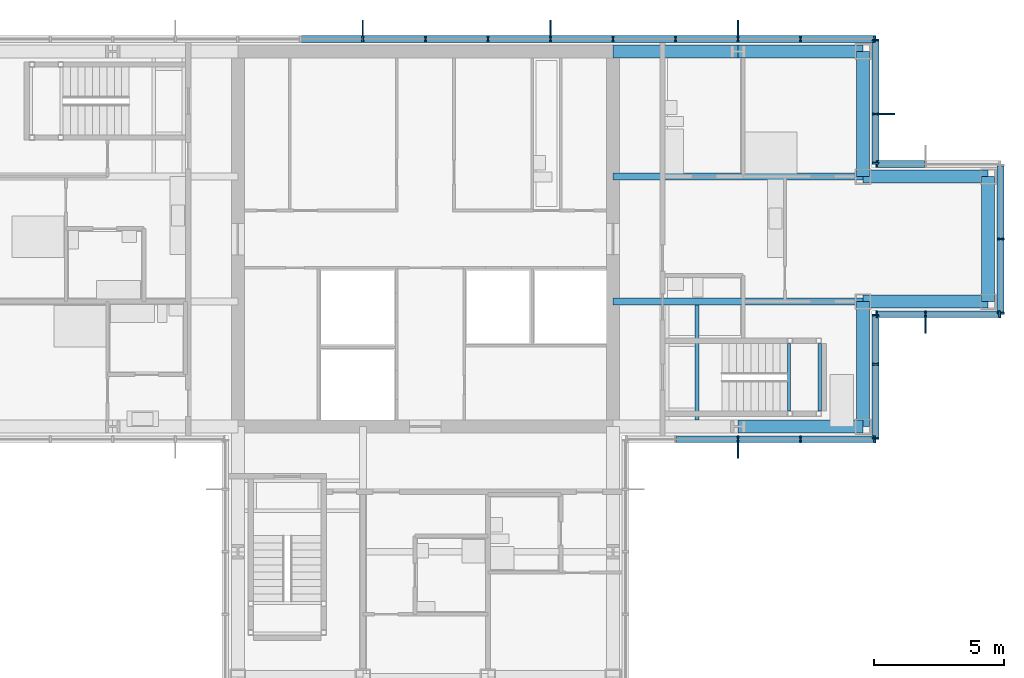
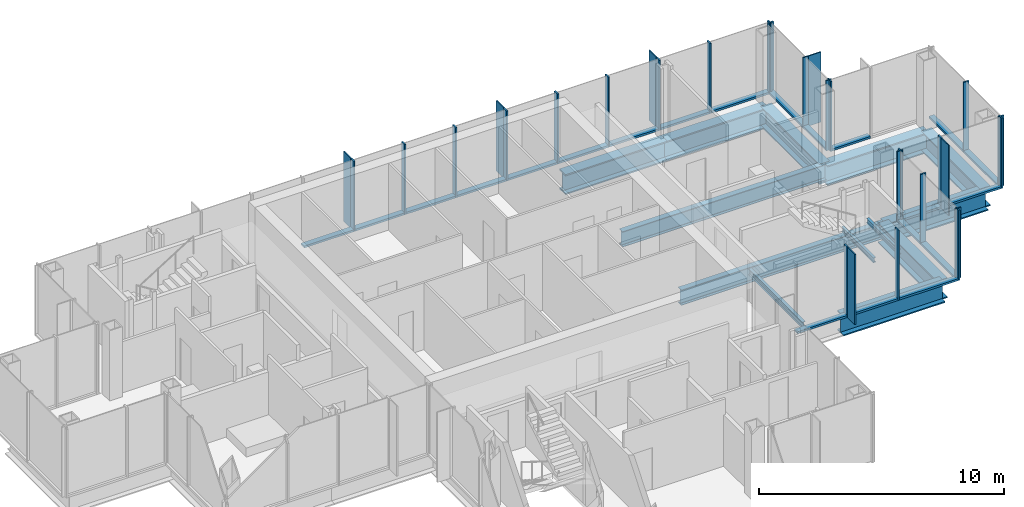
# One storey, part 7 of 15: 51 members, 13 beams, 7 elements without a shape of their own.
"""IFC4 building model written with IfcOpenShell, lengths in metres."""

from ifc_helpers import new_model, si_unit, direction, frame, origin, origin_2d, place, context, subcontext, project, spatial, rectangle, i_section, extrude, material, material_profile, profile_set, type_object, element, aggregate, save


model = new_model("IFC4")

# Units and contexts
model_context = context("Model", 3, precision=1e-05, world=origin(), true_north=direction((0.0, 1.0)))
body_context = subcontext(model_context, "Body", "Model", "MODEL_VIEW")
ifc_project = project(units=[si_unit("LENGTHUNIT", "METRE"), si_unit("AREAUNIT", "SQUARE_METRE"), si_unit("VOLUMEUNIT", "CUBIC_METRE"), si_unit("PLANEANGLEUNIT", "RADIAN"), si_unit("MASSUNIT", "GRAM", prefix="KILO")], contexts=[model_context])

# Site, building, storey
site_placement = place(None, origin())
site = spatial("IfcSite", under=ifc_project, at=site_placement, CompositionType="ELEMENT")
building_placement = place(site_placement, origin())
building = spatial("IfcBuilding", under=site, at=building_placement, Name="Kvirike Care Tower", CompositionType="ELEMENT")
storey_placement = place(building_placement, frame((0.0, 0.0, 212.0)))
storey = spatial("IfcBuildingStorey", under=building, at=storey_placement, Name="L58", CompositionType="ELEMENT", Elevation=212.0)

# Curtain wall, member
ifc_material_1 = material(Name="Anodised aluminium stick system", Category="aluminium")
curtain_wall_type = type_object("IfcCurtainWallType", Name="CW-D STICK CURTAIN WALL", PredefinedType="NOTDEFINED", material=ifc_material_1)
curtain_wall_1_placement = place(storey_placement, origin())
curtain_wall_1 = element("IfcCurtainWall", 1, at=curtain_wall_1_placement, inside=storey, type_object=curtain_wall_type, Name="Curtain wall L58 face 1", PredefinedType="NOTDEFINED")
ifc_material_2 = material(Name="Bronze anodised aluminium fin", Category="aluminium")
ifc_material_profile_1 = material_profile(ifc_material_2, rectangle(XDim=0.050048828125, YDim=0.60009765625, at=origin_2d()), Name="BRONZE FIN 600")
ifc_profile_set_1 = profile_set([ifc_material_profile_1], Name="Bronze anodised aluminium fin")
member_type_1 = type_object("IfcMemberType", Name="BRONZE FIN 600", PredefinedType="USERDEFINED", material=ifc_profile_set_1)
member_1_placement = place(storey_placement, frame((33.60009765625, 27.889892578125, 0.0), z_axis=(0.0, 0.0, 1.0), x_axis=(1.0, 0.0, 0.0)))
member_1 = element("IfcMember", 2, at=member_1_placement, type_object=member_type_1, Name="Bronze fin L58 face 1.3", ObjectType="FIN", PredefinedType="USERDEFINED", context=body_context, shape_type="SweptSolid", body=[
    extrude(rectangle(XDim=0.050048828125, YDim=0.60009765625, at=origin_2d()), origin(), (0.0, 0.0, 1.0), 3.5),
])

curtain_wall_2_placement = place(storey_placement, origin())
curtain_wall_2 = element("IfcCurtainWall", 3, at=curtain_wall_2_placement, inside=storey, type_object=curtain_wall_type, Name="Curtain wall L58 face 3", PredefinedType="NOTDEFINED")
member_2_placement = place(storey_placement, frame((40.800048828125, 32.68994140625, 0.0), z_axis=(0.0, 0.0, 1.0), x_axis=(1.0, 0.0, 0.0)))
member_2 = element("IfcMember", 4, at=member_2_placement, type_object=member_type_1, Name="Bronze fin L58 face 3.2", ObjectType="FIN", PredefinedType="USERDEFINED", context=body_context, shape_type="SweptSolid", body=[
    extrude(rectangle(XDim=0.050048828125, YDim=0.60009765625, at=origin_2d()), origin(), (0.0, 0.0, 1.0), 3.5),
])

curtain_wall_3_placement = place(storey_placement, origin())
curtain_wall_3 = element("IfcCurtainWall", 5, at=curtain_wall_3_placement, inside=storey, type_object=curtain_wall_type, Name="Curtain wall L58 face 6", PredefinedType="NOTDEFINED")
member_3_placement = place(storey_placement, frame((39.31005859375, 40.800048828125, 0.0), z_axis=(0.0, 0.0, 1.0), x_axis=(0.0, 1.0, 0.0)))
member_3 = element("IfcMember", 6, at=member_3_placement, type_object=member_type_1, Name="Bronze fin L58 face 6.2", ObjectType="FIN", PredefinedType="USERDEFINED", context=body_context, shape_type="SweptSolid", body=[
    extrude(rectangle(XDim=0.050048828125, YDim=0.60009765625, at=origin_2d()), origin(), (0.0, 0.0, 1.0), 3.5),
])

# Curtain wall, members
curtain_wall_4_placement = place(storey_placement, origin())
curtain_wall_4 = element("IfcCurtainWall", 7, at=curtain_wall_4_placement, inside=storey, type_object=curtain_wall_type, Name="Curtain wall L58 face 7", PredefinedType="NOTDEFINED")
member_4_placement = place(storey_placement, frame((33.60009765625, 44.110107421875, 0.0), z_axis=(0.0, 0.0, 1.0), x_axis=(-1.0, 0.0, 0.0)))
member_4 = element("IfcMember", 8, at=member_4_placement, type_object=member_type_1, Name="Bronze fin L58 face 7.3", ObjectType="FIN", PredefinedType="USERDEFINED", context=body_context, shape_type="SweptSolid", body=[
    extrude(rectangle(XDim=0.050048828125, YDim=0.60009765625, at=origin_2d()), origin(), (0.0, 0.0, 1.0), 3.5),
])
member_5_placement = place(storey_placement, frame((26.39990234375, 44.110107421875, 0.0), z_axis=(0.0, 0.0, 1.0), x_axis=(-1.0, 0.0, 0.0)))
member_5 = element("IfcMember", 9, at=member_5_placement, type_object=member_type_1, Name="Bronze fin L58 face 7.6", ObjectType="FIN", PredefinedType="USERDEFINED", context=body_context, shape_type="SweptSolid", body=[
    extrude(rectangle(XDim=0.050048828125, YDim=0.60009765625, at=origin_2d()), origin(), (0.0, 0.0, 1.0), 3.5),
])
member_6_placement = place(storey_placement, frame((19.199951171875, 44.110107421875, 0.0), z_axis=(0.0, 0.0, 1.0), x_axis=(-1.0, 0.0, 0.0)))
member_6 = element("IfcMember", 10, at=member_6_placement, type_object=member_type_1, Name="Bronze fin L58 face 7.9", ObjectType="FIN", PredefinedType="USERDEFINED", context=body_context, shape_type="SweptSolid", body=[
    extrude(rectangle(XDim=0.050048828125, YDim=0.60009765625, at=origin_2d()), origin(), (0.0, 0.0, 1.0), 3.5),
])

# Member
ifc_material_3 = material(Name="Bronze anodised aluminium mullion", Category="aluminium")
ifc_material_profile_2 = material_profile(ifc_material_3, rectangle(XDim=0.06494140625, YDim=0.260009765625, at=origin_2d()), Name="CW-D MULLION 65x260")
ifc_profile_set_2 = profile_set([ifc_material_profile_2], Name="Bronze anodised aluminium mullion")
member_type_2 = type_object("IfcMemberType", Name="CW-D MULLION 65x260", PredefinedType="MULLION", material=ifc_profile_set_2)
member_7_placement = place(storey_placement, frame((33.60009765625, 28.320068359375, 0.0), z_axis=(0.0, 0.0, 1.0), x_axis=(1.0, 0.0, 0.0)))
member_7 = element("IfcMember", 11, at=member_7_placement, type_object=member_type_2, Name="CW-D mullion L58 face 1.3", PredefinedType="MULLION", context=body_context, shape_type="SweptSolid", body=[
    extrude(rectangle(XDim=0.06494140625, YDim=0.260009765625, at=origin_2d()), origin(), (0.0, 0.0, 1.0), 3.5),
])

member_8_placement = place(storey_placement, frame((36.0, 28.320068359375, 0.0), z_axis=(0.0, 0.0, 1.0), x_axis=(1.0, 0.0, 0.0)))
member_8 = element("IfcMember", 12, at=member_8_placement, type_object=member_type_2, Name="CW-D mullion L58 face 1.4", PredefinedType="MULLION", context=body_context, shape_type="SweptSolid", body=[
    extrude(rectangle(XDim=0.06494140625, YDim=0.260009765625, at=origin_2d()), origin(), (0.0, 0.0, 1.0), 3.5),
])

member_9_placement = place(storey_placement, frame((38.847412109375, 28.320068359375, 0.0), z_axis=(0.0, 0.0, 1.0), x_axis=(1.0, 0.0, 0.0)))
member_9 = element("IfcMember", 13, at=member_9_placement, type_object=member_type_2, Name="CW-D mullion L58 face 1.5", PredefinedType="MULLION", context=body_context, shape_type="SweptSolid", body=[
    extrude(rectangle(XDim=0.06494140625, YDim=0.260009765625, at=origin_2d()), origin(), (0.0, 0.0, 1.0), 3.5),
])

# Curtain wall, members
curtain_wall_5_placement = place(storey_placement, origin())
curtain_wall_5 = element("IfcCurtainWall", 14, at=curtain_wall_5_placement, inside=storey, type_object=curtain_wall_type, Name="Curtain wall L58 face 2", PredefinedType="NOTDEFINED")
member_10_placement = place(storey_placement, frame((38.8798828125, 28.3525390625, 0.0), z_axis=(0.0, 0.0, 1.0), x_axis=(0.0, 1.0, 0.0)))
member_10 = element("IfcMember", 15, at=member_10_placement, type_object=member_type_2, Name="CW-D mullion L58 face 2.1", PredefinedType="MULLION", context=body_context, shape_type="SweptSolid", body=[
    extrude(rectangle(XDim=0.06494140625, YDim=0.260009765625, at=origin_2d()), origin(), (0.0, 0.0, 1.0), 3.5),
])
member_11_placement = place(storey_placement, frame((38.8798828125, 31.199951171875, 0.0), z_axis=(0.0, 0.0, 1.0), x_axis=(0.0, 1.0, 0.0)))
member_11 = element("IfcMember", 16, at=member_11_placement, type_object=member_type_2, Name="CW-D mullion L58 face 2.2", PredefinedType="MULLION", context=body_context, shape_type="SweptSolid", body=[
    extrude(rectangle(XDim=0.06494140625, YDim=0.260009765625, at=origin_2d()), origin(), (0.0, 0.0, 1.0), 3.5),
])
member_12_placement = place(storey_placement, frame((38.8798828125, 33.08740234375, 0.0), z_axis=(0.0, 0.0, 1.0), x_axis=(0.0, 1.0, 0.0)))
member_12 = element("IfcMember", 17, at=member_12_placement, type_object=member_type_2, Name="CW-D mullion L58 face 2.3", PredefinedType="MULLION", context=body_context, shape_type="SweptSolid", body=[
    extrude(rectangle(XDim=0.06494140625, YDim=0.260009765625, at=origin_2d()), origin(), (0.0, 0.0, 1.0), 3.5),
])

# Member
member_13_placement = place(storey_placement, frame((38.91259765625, 33.1201171875, 0.0), z_axis=(0.0, 0.0, 1.0), x_axis=(1.0, 0.0, 0.0)))
member_13 = element("IfcMember", 18, at=member_13_placement, type_object=member_type_2, Name="CW-D mullion L58 face 3.1", PredefinedType="MULLION", context=body_context, shape_type="SweptSolid", body=[
    extrude(rectangle(XDim=0.06494140625, YDim=0.260009765625, at=origin_2d()), origin(), (0.0, 0.0, 1.0), 3.5),
])

member_14_placement = place(storey_placement, frame((40.800048828125, 33.1201171875, 0.0), z_axis=(0.0, 0.0, 1.0), x_axis=(1.0, 0.0, 0.0)))
member_14 = element("IfcMember", 19, at=member_14_placement, type_object=member_type_2, Name="CW-D mullion L58 face 3.2", PredefinedType="MULLION", context=body_context, shape_type="SweptSolid", body=[
    extrude(rectangle(XDim=0.06494140625, YDim=0.260009765625, at=origin_2d()), origin(), (0.0, 0.0, 1.0), 3.5),
])

member_15_placement = place(storey_placement, frame((43.6474609375, 33.1201171875, 0.0), z_axis=(0.0, 0.0, 1.0), x_axis=(1.0, 0.0, 0.0)))
member_15 = element("IfcMember", 20, at=member_15_placement, type_object=member_type_2, Name="CW-D mullion L58 face 3.3", PredefinedType="MULLION", context=body_context, shape_type="SweptSolid", body=[
    extrude(rectangle(XDim=0.06494140625, YDim=0.260009765625, at=origin_2d()), origin(), (0.0, 0.0, 1.0), 3.5),
])

# Curtain wall, members
curtain_wall_6_placement = place(storey_placement, origin())
curtain_wall_6 = element("IfcCurtainWall", 21, at=curtain_wall_6_placement, inside=storey, type_object=curtain_wall_type, Name="Curtain wall L58 face 4", PredefinedType="NOTDEFINED")
member_16_placement = place(storey_placement, frame((43.679931640625, 33.152587890625, 0.0), z_axis=(0.0, 0.0, 1.0), x_axis=(0.0, 1.0, 0.0)))
member_16 = element("IfcMember", 22, at=member_16_placement, type_object=member_type_2, Name="CW-D mullion L58 face 4.1", PredefinedType="MULLION", context=body_context, shape_type="SweptSolid", body=[
    extrude(rectangle(XDim=0.06494140625, YDim=0.260009765625, at=origin_2d()), origin(), (0.0, 0.0, 1.0), 3.5),
])
member_17_placement = place(storey_placement, frame((43.679931640625, 36.0, 0.0), z_axis=(0.0, 0.0, 1.0), x_axis=(0.0, 1.0, 0.0)))
member_17 = element("IfcMember", 23, at=member_17_placement, type_object=member_type_2, Name="CW-D mullion L58 face 4.2", PredefinedType="MULLION", context=body_context, shape_type="SweptSolid", body=[
    extrude(rectangle(XDim=0.06494140625, YDim=0.260009765625, at=origin_2d()), origin(), (0.0, 0.0, 1.0), 3.5),
])

# Curtain wall, member
curtain_wall_7_placement = place(storey_placement, origin())
curtain_wall_7 = element("IfcCurtainWall", 24, at=curtain_wall_7_placement, inside=storey, type_object=curtain_wall_type, Name="Curtain wall L58 face 5", PredefinedType="NOTDEFINED")
member_18_placement = place(storey_placement, frame((38.91259765625, 38.8798828125, 0.0), z_axis=(0.0, 0.0, 1.0), x_axis=(-1.0, 0.0, 0.0)))
member_18 = element("IfcMember", 25, at=member_18_placement, type_object=member_type_2, Name="CW-D mullion L58 face 5.3", PredefinedType="MULLION", context=body_context, shape_type="SweptSolid", body=[
    extrude(rectangle(XDim=0.06494140625, YDim=0.260009765625, at=origin_2d()), origin(), (0.0, 0.0, 1.0), 3.5),
])

# Member
member_19_placement = place(storey_placement, frame((38.8798828125, 38.91259765625, 0.0), z_axis=(0.0, 0.0, 1.0), x_axis=(0.0, 1.0, 0.0)))
member_19 = element("IfcMember", 26, at=member_19_placement, type_object=member_type_2, Name="CW-D mullion L58 face 6.1", PredefinedType="MULLION", context=body_context, shape_type="SweptSolid", body=[
    extrude(rectangle(XDim=0.06494140625, YDim=0.260009765625, at=origin_2d()), origin(), (0.0, 0.0, 1.0), 3.5),
])

member_20_placement = place(storey_placement, frame((38.8798828125, 40.800048828125, 0.0), z_axis=(0.0, 0.0, 1.0), x_axis=(0.0, 1.0, 0.0)))
member_20 = element("IfcMember", 27, at=member_20_placement, type_object=member_type_2, Name="CW-D mullion L58 face 6.2", PredefinedType="MULLION", context=body_context, shape_type="SweptSolid", body=[
    extrude(rectangle(XDim=0.06494140625, YDim=0.260009765625, at=origin_2d()), origin(), (0.0, 0.0, 1.0), 3.5),
])

member_21_placement = place(storey_placement, frame((38.8798828125, 43.6474609375, 0.0), z_axis=(0.0, 0.0, 1.0), x_axis=(0.0, 1.0, 0.0)))
member_21 = element("IfcMember", 28, at=member_21_placement, type_object=member_type_2, Name="CW-D mullion L58 face 6.3", PredefinedType="MULLION", context=body_context, shape_type="SweptSolid", body=[
    extrude(rectangle(XDim=0.06494140625, YDim=0.260009765625, at=origin_2d()), origin(), (0.0, 0.0, 1.0), 3.5),
])

member_22_placement = place(storey_placement, frame((38.847412109375, 43.679931640625, 0.0), z_axis=(0.0, 0.0, 1.0), x_axis=(-1.0, 0.0, 0.0)))
member_22 = element("IfcMember", 29, at=member_22_placement, type_object=member_type_2, Name="CW-D mullion L58 face 7.1", PredefinedType="MULLION", context=body_context, shape_type="SweptSolid", body=[
    extrude(rectangle(XDim=0.06494140625, YDim=0.260009765625, at=origin_2d()), origin(), (0.0, 0.0, 1.0), 3.5),
])

member_23_placement = place(storey_placement, frame((36.0, 43.679931640625, 0.0), z_axis=(0.0, 0.0, 1.0), x_axis=(-1.0, 0.0, 0.0)))
member_23 = element("IfcMember", 30, at=member_23_placement, type_object=member_type_2, Name="CW-D mullion L58 face 7.2", PredefinedType="MULLION", context=body_context, shape_type="SweptSolid", body=[
    extrude(rectangle(XDim=0.06494140625, YDim=0.260009765625, at=origin_2d()), origin(), (0.0, 0.0, 1.0), 3.5),
])

member_24_placement = place(storey_placement, frame((33.60009765625, 43.679931640625, 0.0), z_axis=(0.0, 0.0, 1.0), x_axis=(-1.0, 0.0, 0.0)))
member_24 = element("IfcMember", 31, at=member_24_placement, type_object=member_type_2, Name="CW-D mullion L58 face 7.3", PredefinedType="MULLION", context=body_context, shape_type="SweptSolid", body=[
    extrude(rectangle(XDim=0.06494140625, YDim=0.260009765625, at=origin_2d()), origin(), (0.0, 0.0, 1.0), 3.5),
])

member_25_placement = place(storey_placement, frame((31.199951171875, 43.679931640625, 0.0), z_axis=(0.0, 0.0, 1.0), x_axis=(-1.0, 0.0, 0.0)))
member_25 = element("IfcMember", 32, at=member_25_placement, type_object=member_type_2, Name="CW-D mullion L58 face 7.4", PredefinedType="MULLION", context=body_context, shape_type="SweptSolid", body=[
    extrude(rectangle(XDim=0.06494140625, YDim=0.260009765625, at=origin_2d()), origin(), (0.0, 0.0, 1.0), 3.5),
])

member_26_placement = place(storey_placement, frame((28.800048828125, 43.679931640625, 0.0), z_axis=(0.0, 0.0, 1.0), x_axis=(-1.0, 0.0, 0.0)))
member_26 = element("IfcMember", 33, at=member_26_placement, type_object=member_type_2, Name="CW-D mullion L58 face 7.5", PredefinedType="MULLION", context=body_context, shape_type="SweptSolid", body=[
    extrude(rectangle(XDim=0.06494140625, YDim=0.260009765625, at=origin_2d()), origin(), (0.0, 0.0, 1.0), 3.5),
])

member_27_placement = place(storey_placement, frame((26.39990234375, 43.679931640625, 0.0), z_axis=(0.0, 0.0, 1.0), x_axis=(-1.0, 0.0, 0.0)))
member_27 = element("IfcMember", 34, at=member_27_placement, type_object=member_type_2, Name="CW-D mullion L58 face 7.6", PredefinedType="MULLION", context=body_context, shape_type="SweptSolid", body=[
    extrude(rectangle(XDim=0.06494140625, YDim=0.260009765625, at=origin_2d()), origin(), (0.0, 0.0, 1.0), 3.5),
])

member_28_placement = place(storey_placement, frame((24.0, 43.679931640625, 0.0), z_axis=(0.0, 0.0, 1.0), x_axis=(-1.0, 0.0, 0.0)))
member_28 = element("IfcMember", 35, at=member_28_placement, type_object=member_type_2, Name="CW-D mullion L58 face 7.7", PredefinedType="MULLION", context=body_context, shape_type="SweptSolid", body=[
    extrude(rectangle(XDim=0.06494140625, YDim=0.260009765625, at=origin_2d()), origin(), (0.0, 0.0, 1.0), 3.5),
])

member_29_placement = place(storey_placement, frame((21.60009765625, 43.679931640625, 0.0), z_axis=(0.0, 0.0, 1.0), x_axis=(-1.0, 0.0, 0.0)))
member_29 = element("IfcMember", 36, at=member_29_placement, type_object=member_type_2, Name="CW-D mullion L58 face 7.8", PredefinedType="MULLION", context=body_context, shape_type="SweptSolid", body=[
    extrude(rectangle(XDim=0.06494140625, YDim=0.260009765625, at=origin_2d()), origin(), (0.0, 0.0, 1.0), 3.5),
])

member_30_placement = place(storey_placement, frame((19.199951171875, 43.679931640625, 0.0), z_axis=(0.0, 0.0, 1.0), x_axis=(-1.0, 0.0, 0.0)))
member_30 = element("IfcMember", 37, at=member_30_placement, type_object=member_type_2, Name="CW-D mullion L58 face 7.9", PredefinedType="MULLION", context=body_context, shape_type="SweptSolid", body=[
    extrude(rectangle(XDim=0.06494140625, YDim=0.260009765625, at=origin_2d()), origin(), (0.0, 0.0, 1.0), 3.5),
])

ifc_material_4 = material(Name="Bronze anodised aluminium transom", Category="aluminium")
ifc_material_profile_3 = material_profile(ifc_material_4, rectangle(XDim=0.260009765625, YDim=0.10009765625, at=origin_2d()), Name="CW-D TRANSOM 260x100")
ifc_profile_set_3 = profile_set([ifc_material_profile_3], Name="Bronze anodised aluminium transom")
member_type_3 = type_object("IfcMemberType", Name="CW-D TRANSOM 260x100", PredefinedType="USERDEFINED", material=ifc_profile_set_3)
member_31_placement = place(storey_placement, frame((31.232421875, 28.320068359375, 0.050048828125), z_axis=(1.0, 0.0, 0.0), x_axis=(0.0, 1.0, 0.0)))
member_31 = element("IfcMember", 38, at=member_31_placement, type_object=member_type_3, Name="CW-D sill transom L58 face 1.2", ObjectType="TRANSOM", PredefinedType="USERDEFINED", context=body_context, shape_type="SweptSolid", body=[
    extrude(rectangle(XDim=0.260009765625, YDim=0.10009765625, at=origin_2d()), origin(), (0.0, 0.0, 1.0), 2.3349609375),
])

member_32_placement = place(storey_placement, frame((33.632568359375, 28.320068359375, 0.050048828125), z_axis=(1.0, 0.0, 0.0), x_axis=(0.0, 1.0, 0.0)))
member_32 = element("IfcMember", 39, at=member_32_placement, type_object=member_type_3, Name="CW-D sill transom L58 face 1.3", ObjectType="TRANSOM", PredefinedType="USERDEFINED", context=body_context, shape_type="SweptSolid", body=[
    extrude(rectangle(XDim=0.260009765625, YDim=0.10009765625, at=origin_2d()), origin(), (0.0, 0.0, 1.0), 2.3349609375),
])

member_33_placement = place(storey_placement, frame((36.032470703125, 28.320068359375, 0.050048828125), z_axis=(1.0, 0.0, 0.0), x_axis=(0.0, 1.0, 0.0)))
member_33 = element("IfcMember", 40, at=member_33_placement, type_object=member_type_3, Name="CW-D sill transom L58 face 1.4", ObjectType="TRANSOM", PredefinedType="USERDEFINED", context=body_context, shape_type="SweptSolid", body=[
    extrude(rectangle(XDim=0.260009765625, YDim=0.10009765625, at=origin_2d()), origin(), (0.0, 0.0, 1.0), 2.782470703125),
])

aggregate(curtain_wall_1, [member_7, member_1, member_8, member_9, member_31, member_32, member_33])

member_34_placement = place(storey_placement, frame((38.8798828125, 28.385009765625, 0.050048828125), z_axis=(0.0, 1.0, 0.0), x_axis=(-1.0, 0.0, 0.0)))
member_34 = element("IfcMember", 41, at=member_34_placement, type_object=member_type_3, Name="CW-D sill transom L58 face 2.1", ObjectType="TRANSOM", PredefinedType="USERDEFINED", context=body_context, shape_type="SweptSolid", body=[
    extrude(rectangle(XDim=0.260009765625, YDim=0.10009765625, at=origin_2d()), origin(), (0.0, 0.0, 1.0), 2.782470703125),
])

member_35_placement = place(storey_placement, frame((38.8798828125, 31.232421875, 0.050048828125), z_axis=(0.0, 1.0, 0.0), x_axis=(-1.0, 0.0, 0.0)))
member_35 = element("IfcMember", 42, at=member_35_placement, type_object=member_type_3, Name="CW-D sill transom L58 face 2.2", ObjectType="TRANSOM", PredefinedType="USERDEFINED", context=body_context, shape_type="SweptSolid", body=[
    extrude(rectangle(XDim=0.260009765625, YDim=0.10009765625, at=origin_2d()), origin(), (0.0, 0.0, 1.0), 1.822509765625),
])

aggregate(curtain_wall_5, [member_10, member_11, member_12, member_34, member_35])

member_36_placement = place(storey_placement, frame((38.945068359375, 33.1201171875, 0.050048828125), z_axis=(1.0, 0.0, 0.0), x_axis=(0.0, 1.0, 0.0)))
member_36 = element("IfcMember", 43, at=member_36_placement, type_object=member_type_3, Name="CW-D sill transom L58 face 3.1", ObjectType="TRANSOM", PredefinedType="USERDEFINED", context=body_context, shape_type="SweptSolid", body=[
    extrude(rectangle(XDim=0.260009765625, YDim=0.10009765625, at=origin_2d()), origin(), (0.0, 0.0, 1.0), 1.822509765625),
])

member_37_placement = place(storey_placement, frame((40.83251953125, 33.1201171875, 0.050048828125), z_axis=(1.0, 0.0, 0.0), x_axis=(0.0, 1.0, 0.0)))
member_37 = element("IfcMember", 44, at=member_37_placement, type_object=member_type_3, Name="CW-D sill transom L58 face 3.2", ObjectType="TRANSOM", PredefinedType="USERDEFINED", context=body_context, shape_type="SweptSolid", body=[
    extrude(rectangle(XDim=0.260009765625, YDim=0.10009765625, at=origin_2d()), origin(), (0.0, 0.0, 1.0), 2.782470703125),
])

aggregate(curtain_wall_2, [member_13, member_14, member_2, member_15, member_36, member_37])

member_38_placement = place(storey_placement, frame((43.679931640625, 33.18505859375, 0.050048828125), z_axis=(0.0, 1.0, 0.0), x_axis=(-1.0, 0.0, 0.0)))
member_38 = element("IfcMember", 45, at=member_38_placement, type_object=member_type_3, Name="CW-D sill transom L58 face 4.1", ObjectType="TRANSOM", PredefinedType="USERDEFINED", context=body_context, shape_type="SweptSolid", body=[
    extrude(rectangle(XDim=0.260009765625, YDim=0.10009765625, at=origin_2d()), origin(), (0.0, 0.0, 1.0), 2.782470703125),
])

member_39_placement = place(storey_placement, frame((43.679931640625, 36.032470703125, 0.050048828125), z_axis=(0.0, 1.0, 0.0), x_axis=(-1.0, 0.0, 0.0)))
member_39 = element("IfcMember", 46, at=member_39_placement, type_object=member_type_3, Name="CW-D sill transom L58 face 4.2", ObjectType="TRANSOM", PredefinedType="USERDEFINED", context=body_context, shape_type="SweptSolid", body=[
    extrude(rectangle(XDim=0.260009765625, YDim=0.10009765625, at=origin_2d()), origin(), (0.0, 0.0, 1.0), 2.782470703125),
])

aggregate(curtain_wall_6, [member_16, member_17, member_38, member_39])

member_40_placement = place(storey_placement, frame((40.767578125, 38.8798828125, 0.050048828125), z_axis=(-1.0, 0.0, 0.0), x_axis=(0.0, -1.0, 0.0)))
member_40 = element("IfcMember", 47, at=member_40_placement, type_object=member_type_3, Name="CW-D sill transom L58 face 5.2", ObjectType="TRANSOM", PredefinedType="USERDEFINED", context=body_context, shape_type="SweptSolid", body=[
    extrude(rectangle(XDim=0.260009765625, YDim=0.10009765625, at=origin_2d()), origin(), (0.0, 0.0, 1.0), 1.822509765625),
])

aggregate(curtain_wall_7, [member_18, member_40])

member_41_placement = place(storey_placement, frame((38.8798828125, 38.945068359375, 0.050048828125), z_axis=(0.0, 1.0, 0.0), x_axis=(-1.0, 0.0, 0.0)))
member_41 = element("IfcMember", 48, at=member_41_placement, type_object=member_type_3, Name="CW-D sill transom L58 face 6.1", ObjectType="TRANSOM", PredefinedType="USERDEFINED", context=body_context, shape_type="SweptSolid", body=[
    extrude(rectangle(XDim=0.260009765625, YDim=0.10009765625, at=origin_2d()), origin(), (0.0, 0.0, 1.0), 1.822509765625),
])

member_42_placement = place(storey_placement, frame((38.8798828125, 40.83251953125, 0.050048828125), z_axis=(0.0, 1.0, 0.0), x_axis=(-1.0, 0.0, 0.0)))
member_42 = element("IfcMember", 49, at=member_42_placement, type_object=member_type_3, Name="CW-D sill transom L58 face 6.2", ObjectType="TRANSOM", PredefinedType="USERDEFINED", context=body_context, shape_type="SweptSolid", body=[
    extrude(rectangle(XDim=0.260009765625, YDim=0.10009765625, at=origin_2d()), origin(), (0.0, 0.0, 1.0), 2.782470703125),
])

aggregate(curtain_wall_3, [member_19, member_20, member_3, member_21, member_41, member_42])

member_43_placement = place(storey_placement, frame((38.81494140625, 43.679931640625, 0.050048828125), z_axis=(-1.0, 0.0, 0.0), x_axis=(0.0, -1.0, 0.0)))
member_43 = element("IfcMember", 50, at=member_43_placement, type_object=member_type_3, Name="CW-D sill transom L58 face 7.1", ObjectType="TRANSOM", PredefinedType="USERDEFINED", context=body_context, shape_type="SweptSolid", body=[
    extrude(rectangle(XDim=0.260009765625, YDim=0.10009765625, at=origin_2d()), origin(), (0.0, 0.0, 1.0), 2.782470703125),
])

member_44_placement = place(storey_placement, frame((35.967529296875, 43.679931640625, 0.050048828125), z_axis=(-1.0, 0.0, 0.0), x_axis=(0.0, -1.0, 0.0)))
member_44 = element("IfcMember", 51, at=member_44_placement, type_object=member_type_3, Name="CW-D sill transom L58 face 7.2", ObjectType="TRANSOM", PredefinedType="USERDEFINED", context=body_context, shape_type="SweptSolid", body=[
    extrude(rectangle(XDim=0.260009765625, YDim=0.10009765625, at=origin_2d()), origin(), (0.0, 0.0, 1.0), 2.3349609375),
])

member_45_placement = place(storey_placement, frame((33.5673828125, 43.679931640625, 0.050048828125), z_axis=(-1.0, 0.0, 0.0), x_axis=(0.0, -1.0, 0.0)))
member_45 = element("IfcMember", 52, at=member_45_placement, type_object=member_type_3, Name="CW-D sill transom L58 face 7.3", ObjectType="TRANSOM", PredefinedType="USERDEFINED", context=body_context, shape_type="SweptSolid", body=[
    extrude(rectangle(XDim=0.260009765625, YDim=0.10009765625, at=origin_2d()), origin(), (0.0, 0.0, 1.0), 2.3349609375),
])

member_46_placement = place(storey_placement, frame((31.16748046875, 43.679931640625, 0.050048828125), z_axis=(-1.0, 0.0, 0.0), x_axis=(0.0, -1.0, 0.0)))
member_46 = element("IfcMember", 53, at=member_46_placement, type_object=member_type_3, Name="CW-D sill transom L58 face 7.4", ObjectType="TRANSOM", PredefinedType="USERDEFINED", context=body_context, shape_type="SweptSolid", body=[
    extrude(rectangle(XDim=0.260009765625, YDim=0.10009765625, at=origin_2d()), origin(), (0.0, 0.0, 1.0), 2.3349609375),
])

member_47_placement = place(storey_placement, frame((28.767578125, 43.679931640625, 0.050048828125), z_axis=(-1.0, 0.0, 0.0), x_axis=(0.0, -1.0, 0.0)))
member_47 = element("IfcMember", 54, at=member_47_placement, type_object=member_type_3, Name="CW-D sill transom L58 face 7.5", ObjectType="TRANSOM", PredefinedType="USERDEFINED", context=body_context, shape_type="SweptSolid", body=[
    extrude(rectangle(XDim=0.260009765625, YDim=0.10009765625, at=origin_2d()), origin(), (0.0, 0.0, 1.0), 2.3349609375),
])

member_48_placement = place(storey_placement, frame((26.367431640625, 43.679931640625, 0.050048828125), z_axis=(-1.0, 0.0, 0.0), x_axis=(0.0, -1.0, 0.0)))
member_48 = element("IfcMember", 55, at=member_48_placement, type_object=member_type_3, Name="CW-D sill transom L58 face 7.6", ObjectType="TRANSOM", PredefinedType="USERDEFINED", context=body_context, shape_type="SweptSolid", body=[
    extrude(rectangle(XDim=0.260009765625, YDim=0.10009765625, at=origin_2d()), origin(), (0.0, 0.0, 1.0), 2.3349609375),
])

member_49_placement = place(storey_placement, frame((23.967529296875, 43.679931640625, 0.050048828125), z_axis=(-1.0, 0.0, 0.0), x_axis=(0.0, -1.0, 0.0)))
member_49 = element("IfcMember", 56, at=member_49_placement, type_object=member_type_3, Name="CW-D sill transom L58 face 7.7", ObjectType="TRANSOM", PredefinedType="USERDEFINED", context=body_context, shape_type="SweptSolid", body=[
    extrude(rectangle(XDim=0.260009765625, YDim=0.10009765625, at=origin_2d()), origin(), (0.0, 0.0, 1.0), 2.3349609375),
])

member_50_placement = place(storey_placement, frame((21.5673828125, 43.679931640625, 0.050048828125), z_axis=(-1.0, 0.0, 0.0), x_axis=(0.0, -1.0, 0.0)))
member_50 = element("IfcMember", 57, at=member_50_placement, type_object=member_type_3, Name="CW-D sill transom L58 face 7.8", ObjectType="TRANSOM", PredefinedType="USERDEFINED", context=body_context, shape_type="SweptSolid", body=[
    extrude(rectangle(XDim=0.260009765625, YDim=0.10009765625, at=origin_2d()), origin(), (0.0, 0.0, 1.0), 2.3349609375),
])

member_51_placement = place(storey_placement, frame((19.16748046875, 43.679931640625, 0.050048828125), z_axis=(-1.0, 0.0, 0.0), x_axis=(0.0, -1.0, 0.0)))
member_51 = element("IfcMember", 58, at=member_51_placement, type_object=member_type_3, Name="CW-D sill transom L58 face 7.9", ObjectType="TRANSOM", PredefinedType="USERDEFINED", context=body_context, shape_type="SweptSolid", body=[
    extrude(rectangle(XDim=0.260009765625, YDim=0.10009765625, at=origin_2d()), origin(), (0.0, 0.0, 1.0), 2.3349609375),
])

aggregate(curtain_wall_4, [member_22, member_23, member_24, member_4, member_25, member_26, member_27, member_5, member_28, member_29, member_30, member_6, member_43, member_44, member_45, member_46, member_47, member_48, member_49, member_50, member_51])

# Beams
ifc_material_5 = material(Name="Steel S355", Category="steel")
ifc_material_profile_4 = material_profile(ifc_material_5, i_section(OverallWidth=0.26806640625, OverallDepth=0.77001953125, WebThickness=0.015625, FlangeThickness=0.025390625, FilletRadius=0.01708984375, at=origin_2d()), Name="IPE 750x196")
ifc_profile_set_4 = profile_set([ifc_material_profile_4], Name="Steel S355")
beam_type_1 = type_object("IfcBeamType", Name="FLOOR BEAM IPE 750x196", PredefinedType="BEAM", material=ifc_profile_set_4)
for number, where, z_axis, x_axis, name in (
    (59, (28.800048828125, 33.60009765625, -0.554931640625), (1.0, 0.0, 0.0), (0.0, 1.0, 0.0), "Floor Beam H9-H11 L58"),
    (60, (28.800048828125, 38.39990234375, -0.554931640625), (1.0, 0.0, 0.0), (0.0, 1.0, 0.0), "Floor Beam J9-J11 L58"),
):
    element("IfcBeam", number, at=place(storey_placement, frame(where, z_axis=z_axis, x_axis=x_axis)), inside=storey, type_object=beam_type_1, Name=name, PredefinedType="BEAM", context=body_context, shape_type="SweptSolid", body=[
        extrude(i_section(OverallWidth=0.26806640625, OverallDepth=0.77001953125, WebThickness=0.015625, FlangeThickness=0.025390625, FilletRadius=0.01708984375, at=origin_2d()), origin(), (0.0, 0.0, 1.0), 9.599853515625),
    ])
ifc_material_6 = material(Name="Steel S355", Category="steel")
ifc_material_profile_5 = material_profile(ifc_material_6, i_section(OverallWidth=0.5, OverallDepth=1.0, WebThickness=0.030029296875, FlangeThickness=0.06005859375, at=origin_2d()), Name="PG 1000x500x30x60")
ifc_profile_set_5 = profile_set([ifc_material_profile_5], Name="Steel S355")
beam_type_2 = type_object("IfcBeamType", Name="SPANDREL PG 1000x500x30x60", PredefinedType="SPANDREL", material=ifc_profile_set_5)
beam_1_placement = place(storey_placement, frame((33.60009765625, 28.800048828125, -0.669921875), z_axis=(1.0, 0.0, 0.0), x_axis=(0.0, 1.0, 0.0)))
element("IfcBeam", 61, at=beam_1_placement, inside=storey, type_object=beam_type_2, Name="Spandrel G10-G11 L58", PredefinedType="SPANDREL", context=body_context, shape_type="SweptSolid", body=[
    extrude(i_section(OverallWidth=0.5, OverallDepth=1.0, WebThickness=0.030029296875, FlangeThickness=0.06005859375, at=origin_2d()), origin(), (0.0, 0.0, 1.0), 4.7998046875),
])
for number, where, z_axis, x_axis, name in (
    (62, (38.39990234375, 33.60009765625, -0.669921875), (1.0, 0.0, 0.0), (0.0, 1.0, 0.0), "Spandrel H11-H12 L58"),
    (63, (38.39990234375, 38.39990234375, -0.669921875), (1.0, 0.0, 0.0), (0.0, 1.0, 0.0), "Spandrel J11-J12 L58"),
    (64, (28.800048828125, 43.199951171875, -0.669921875), (1.0, 0.0, 0.0), (0.0, 1.0, 0.0), "Spandrel K9-K10 L58"),
):
    element("IfcBeam", number, at=place(storey_placement, frame(where, z_axis=z_axis, x_axis=x_axis)), inside=storey, type_object=beam_type_2, Name=name, PredefinedType="SPANDREL", context=body_context, shape_type="SweptSolid", body=[
        extrude(i_section(OverallWidth=0.5, OverallDepth=1.0, WebThickness=0.030029296875, FlangeThickness=0.06005859375, at=origin_2d()), origin(), (0.0, 0.0, 1.0), 4.800048828125),
    ])
beam_2_placement = place(storey_placement, frame((33.60009765625, 43.199951171875, -0.669921875), z_axis=(1.0, 0.0, 0.0), x_axis=(0.0, 1.0, 0.0)))
element("IfcBeam", 65, at=beam_2_placement, inside=storey, type_object=beam_type_2, Name="Spandrel K10-K11 L58", PredefinedType="SPANDREL", context=body_context, shape_type="SweptSolid", body=[
    extrude(i_section(OverallWidth=0.5, OverallDepth=1.0, WebThickness=0.030029296875, FlangeThickness=0.06005859375, at=origin_2d()), origin(), (0.0, 0.0, 1.0), 4.7998046875),
])
for number, where, z_axis, x_axis, name in (
    (66, (38.39990234375, 28.800048828125, -0.669921875), (0.0, 1.0, 0.0), (-1.0, 0.0, 0.0), "Spandrel G11-H11 L58"),
    (67, (38.39990234375, 38.39990234375, -0.669921875), (0.0, 1.0, 0.0), (-1.0, 0.0, 0.0), "Spandrel J11-K11 L58"),
):
    element("IfcBeam", number, at=place(storey_placement, frame(where, z_axis=z_axis, x_axis=x_axis)), inside=storey, type_object=beam_type_2, Name=name, PredefinedType="SPANDREL", context=body_context, shape_type="SweptSolid", body=[
        extrude(i_section(OverallWidth=0.5, OverallDepth=1.0, WebThickness=0.030029296875, FlangeThickness=0.06005859375, at=origin_2d()), origin(), (0.0, 0.0, 1.0), 4.800048828125),
    ])
beam_3_placement = place(storey_placement, frame((43.199951171875, 33.60009765625, -0.669921875), z_axis=(0.0, 1.0, 0.0), x_axis=(-1.0, 0.0, 0.0)))
element("IfcBeam", 68, at=beam_3_placement, inside=storey, type_object=beam_type_2, Name="Spandrel H12-J12 L58", PredefinedType="SPANDREL", context=body_context, shape_type="SweptSolid", body=[
    extrude(i_section(OverallWidth=0.5, OverallDepth=1.0, WebThickness=0.030029296875, FlangeThickness=0.06005859375, at=origin_2d()), origin(), (0.0, 0.0, 1.0), 4.7998046875),
])
ifc_material_7 = material(Name="Steel S355", Category="steel")
ifc_material_profile_6 = material_profile(ifc_material_7, i_section(OverallWidth=0.1201171875, OverallDepth=0.239990234375, WebThickness=0.006103515625, FlangeThickness=0.009765625, FilletRadius=0.014892578125, at=origin_2d()), Name="IPE 240")
ifc_profile_set_6 = profile_set([ifc_material_profile_6], Name="Steel S355")
beam_type_3 = type_object("IfcBeamType", Name="STAIR LANDING BEAM IPE 240", PredefinedType="BEAM", material=ifc_profile_set_6)
for number, where, z_axis, x_axis, name in (
    (69, (36.739990234375, 29.39990234375, 1.429931640625), (0.0, 1.0, 0.0), (-1.0, 0.0, 0.0), "Stair 2 landing beam back L58"),
    (70, (35.56005859375, 29.39990234375, 1.429931640625), (0.0, 1.0, 0.0), (-1.0, 0.0, 0.0), "Stair 2 landing beam front L58"),
):
    element("IfcBeam", number, at=place(storey_placement, frame(where, z_axis=z_axis, x_axis=x_axis)), inside=storey, type_object=beam_type_3, Name=name, PredefinedType="BEAM", context=body_context, shape_type="SweptSolid", body=[
        extrude(i_section(OverallWidth=0.1201171875, OverallDepth=0.239990234375, WebThickness=0.006103515625, FlangeThickness=0.009765625, FilletRadius=0.014892578125, at=origin_2d()), origin(), (0.0, 0.0, 1.0), 2.60009765625),
    ])
ifc_material_8 = material(Name="Steel S355", Category="steel")
ifc_material_profile_7 = material_profile(ifc_material_8, i_section(OverallWidth=0.14990234375, OverallDepth=0.300048828125, WebThickness=0.007080078125, FlangeThickness=0.0107421875, FilletRadius=0.014892578125, at=origin_2d()), Name="IPE 300")
ifc_profile_set_7 = profile_set([ifc_material_profile_7], Name="Steel S355")
beam_type_4 = type_object("IfcBeamType", Name="STAIR TRIMMER IPE 300", PredefinedType="BEAM", material=ifc_profile_set_7)
beam_4_placement = place(storey_placement, frame((32.02490234375, 29.050048828125, -0.35009765625), z_axis=(0.0, 1.0, 0.0), x_axis=(-1.0, 0.0, 0.0)))
element("IfcBeam", 71, at=beam_4_placement, inside=storey, type_object=beam_type_4, Name="Stair 2 trimmer 1 L58", PredefinedType="BEAM", context=body_context, shape_type="SweptSolid", body=[
    extrude(i_section(OverallWidth=0.14990234375, OverallDepth=0.300048828125, WebThickness=0.007080078125, FlangeThickness=0.0107421875, FilletRadius=0.014892578125, at=origin_2d()), origin(), (0.0, 0.0, 1.0), 4.416015625),
])

save(model, "model.ifc")
